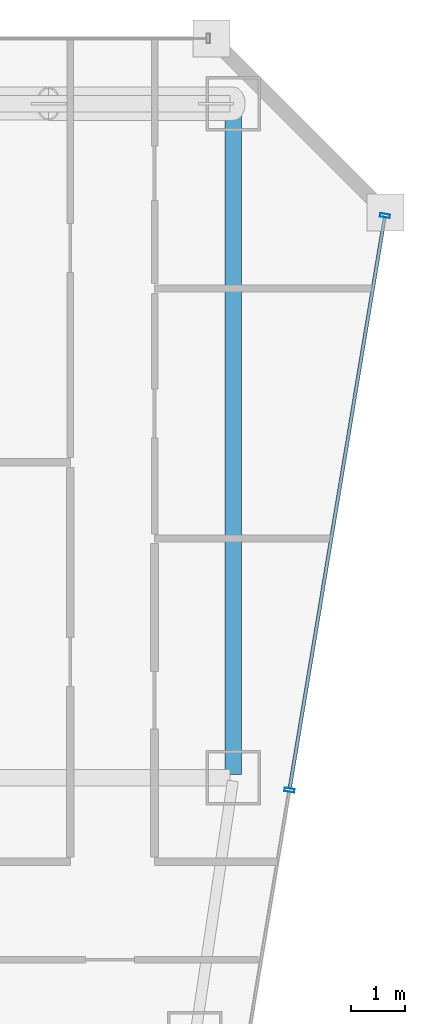
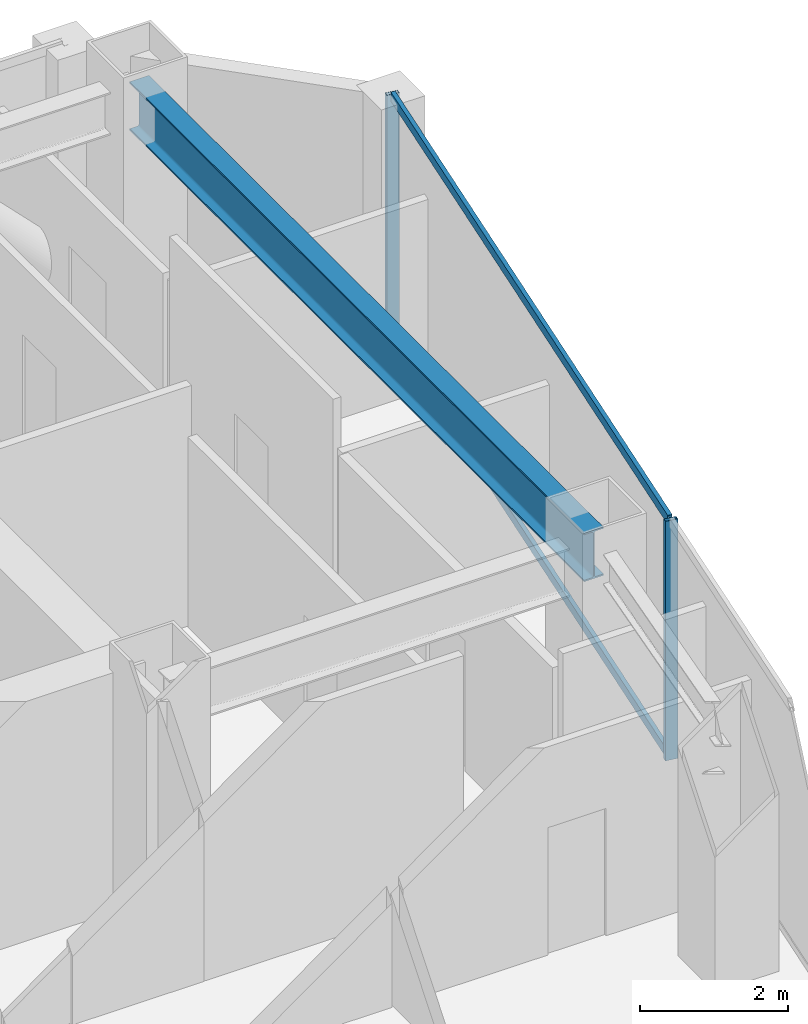
# One storey, part 25 of 36: 4 members, 1 beam, 1 element without a shape of its own.
"""IFC4 building model written with IfcOpenShell, lengths in metres."""

import ifcopenshell
import ifcopenshell.guid

model = None  # the IFC model being written
_history = None  # IfcOwnerHistory: only IFC2X3 demands one
_inside = {}  # id of a spatial element -> (the spatial element, [elements in it])
_under = {}  # id of a project, library or spatial element -> (it, [spatial elements below it])
_declared = {}  # id of a project -> (the project, [libraries it declares])
_typed = {}  # id of a type object -> (the type object, [elements of that type])
_made_of = {}  # id of a material, layer set ... -> (it, [elements and type objects made of it])


def new_model(schema):
    """Start an empty IFC model of exactly this schema.

    Asked for "IFC4X3", IfcOpenShell would pick the latest addendum, in which some entities
    have other attributes; the version numbers below select the first issue.
    IFC2X3 requires an IfcOwnerHistory on every rooted entity: one is made here for all.
    """
    global model, _history
    if schema == "IFC4X3":
        model = ifcopenshell.file(schema_version=(4, 3, 0, 0))
    else:
        model = ifcopenshell.file(schema=schema)
    _inside.clear()
    _under.clear()
    _declared.clear()
    _typed.clear()
    _made_of.clear()
    _history = None
    if model.schema == "IFC2X3":
        org = make("IfcOrganization", Name="unknown")
        user = make(
            "IfcPersonAndOrganization",
            ThePerson=make("IfcPerson", FamilyName="unknown"),
            TheOrganization=org,
        )
        app = make(
            "IfcApplication",
            ApplicationDeveloper=org,
            Version="unknown",
            ApplicationFullName="unknown",
            ApplicationIdentifier="unknown",
        )
        _history = make(
            "IfcOwnerHistory",
            OwningUser=user,
            OwningApplication=app,
            ChangeAction="ADDED",
            CreationDate=0,
        )
    return model


def make(cls, **values):
    """One entity of the class cls with the attributes given. An attribute that is None is left unset."""
    return model.create_entity(
        cls, **{name: value for name, value in values.items() if value is not None}
    )


def rooted(cls, **values):
    """An entity with a GlobalId (a new one), such as an element, a storey or a relation."""
    return make(cls, GlobalId=ifcopenshell.guid.new(), OwnerHistory=_history, **values)


def si_unit(unit_type, name, prefix=None):
    """IfcSIUnit, for example si_unit("LENGTHUNIT", "METRE", prefix="MILLI")."""
    return make("IfcSIUnit", UnitType=unit_type, Prefix=prefix, Name=name)


def assignment(units):
    """IfcUnitAssignment: the units of a project."""
    return None if units is None else make("IfcUnitAssignment", Units=units)


def point(xyz):
    """IfcCartesianPoint."""
    return None if xyz is None else make("IfcCartesianPoint", Coordinates=xyz)


def direction(xyz):
    """IfcDirection."""
    return None if xyz is None else make("IfcDirection", DirectionRatios=xyz)


def frame(location, z_axis=None, x_axis=None):
    """IfcAxis2Placement3D, a coordinate frame: its origin and axes. An axis left out is left unset."""
    return make(
        "IfcAxis2Placement3D",
        Location=point(location),
        Axis=direction(z_axis),
        RefDirection=direction(x_axis),
    )


def frame_2d(location, x_axis=None):
    """IfcAxis2Placement2D, a coordinate frame in the plane: its origin and x axis."""
    return make(
        "IfcAxis2Placement2D", Location=point(location), RefDirection=direction(x_axis)
    )


def origin():
    """The frame at (0, 0, 0) with its axes left unset."""
    return frame((0.0, 0.0, 0.0))


def origin_2d():
    """The frame at (0, 0) in the plane with its x axis left unset."""
    return frame_2d((0.0, 0.0))


def place(relative_to, where):
    """IfcLocalPlacement: puts the frame where relative to a parent placement (None: the world)."""
    return make(
        "IfcLocalPlacement", PlacementRelTo=relative_to, RelativePlacement=where
    )


def context(
    kind, dimensions, precision=None, world=None, true_north=None, identifier=None
):
    """IfcGeometricRepresentationContext, for example the 3D "Model" context."""
    return make(
        "IfcGeometricRepresentationContext",
        ContextIdentifier=identifier,
        ContextType=kind,
        CoordinateSpaceDimension=dimensions,
        Precision=precision,
        WorldCoordinateSystem=world,
        TrueNorth=true_north,
    )


def subcontext(parent, identifier, kind, view, scale=None):
    """IfcGeometricRepresentationSubContext, for example "Body" below "Model"."""
    return make(
        "IfcGeometricRepresentationSubContext",
        ContextIdentifier=identifier,
        ContextType=kind,
        ParentContext=parent,
        TargetScale=scale,
        TargetView=view,
    )


def project(units=None, contexts=None):
    """IfcProject with its units and contexts."""
    return rooted(
        "IfcProject",
        Name="project",
        RepresentationContexts=contexts,
        UnitsInContext=assignment(units),
    )


def spatial(cls, under=None, at=None, **own):
    """A site, building, storey or space (cls), placed at a placement, below another one or the project."""
    s = rooted(cls, ObjectPlacement=at, **own)
    if under is not None:
        _under.setdefault(under.id(), (under, []))[1].append(s)
    return s


def profile(cls, at=None, kind="AREA", **sizes):
    """A parametric profile (cls). Its sizes go by their IFC names, for example OverallWidth=200.0."""
    return make(cls, ProfileType=kind, Position=at, **sizes)


def hollow_rectangle(**sizes):
    """IfcRectangleHollowProfileDef."""
    return profile("IfcRectangleHollowProfileDef", **sizes)


def i_section(**sizes):
    """IfcIShapeProfileDef."""
    return profile("IfcIShapeProfileDef", **sizes)


def extrude(swept, where, along, depth):
    """IfcExtrudedAreaSolid: the profile swept, set in the frame where, extruded along a direction by depth."""
    return make(
        "IfcExtrudedAreaSolid",
        SweptArea=swept,
        Position=where,
        ExtrudedDirection=direction(along),
        Depth=depth,
    )


def shape(context_of_items, identifier, shape_type, items):
    """IfcShapeRepresentation: the items that make up one representation, for example the "Body"."""
    return make(
        "IfcShapeRepresentation",
        ContextOfItems=context_of_items,
        RepresentationIdentifier=identifier,
        RepresentationType=shape_type,
        Items=items,
    )


def material(Name=None, Category=None):
    """IfcMaterial."""
    return make("IfcMaterial", Name=Name, Category=Category)


def material_profile(
    of_material, cross_section, Name=None, Category=None, Priority=None
):
    """IfcMaterialProfile: a cross section and its material."""
    return make(
        "IfcMaterialProfile",
        Name=Name,
        Material=of_material,
        Profile=cross_section,
        Priority=Priority,
        Category=Category,
    )


def profile_set(profiles, Name=None, composite=None):
    """IfcMaterialProfileSet."""
    return make(
        "IfcMaterialProfileSet",
        Name=Name,
        MaterialProfiles=profiles,
        CompositeProfile=composite,
    )


def made_of(thing, what):
    """Note that an element or type object is made of a material, layer set ...; save() writes the relation."""
    if what is not None:
        _made_of.setdefault(what.id(), (what, []))[1].append(thing)
    return thing


def type_object(cls, material=None, **own):
    """A type object (cls), such as IfcWallType, which elements share."""
    return made_of(rooted(cls, **own), material)


def element(
    cls,
    number,
    at=None,
    inside=None,
    cuts=None,
    type_object=None,
    material=None,
    context=None,
    identifier="Body",
    shape_type=None,
    held_by="IfcProductDefinitionShape",
    body=None,
    shapes=None,
    **own,
):
    """One element of the class cls, such as IfcWall. Its Tag is "e" and its number.

    at: its placement. inside: the storey or other place that contains it. cuts: it is an
    opening in that element (IfcRelVoidsElement). A single representation is given by context,
    identifier, shape_type and body (its items); several are given by shapes. held_by: the class
    of the entity that holds the representations. save() writes the other relations.
    """
    e = rooted(cls, Tag="e%d" % number, ObjectPlacement=at, **own)
    if body is not None:
        shapes = [shape(context, identifier, shape_type, body)]
    if shapes is not None:
        e.Representation = make(held_by, Representations=shapes)
    if inside is not None:
        _inside.setdefault(inside.id(), (inside, []))[1].append(e)
    if cuts is not None:
        rooted(
            "IfcRelVoidsElement", RelatingBuildingElement=cuts, RelatedOpeningElement=e
        )
    if type_object is not None:
        _typed.setdefault(type_object.id(), (type_object, []))[1].append(e)
    return made_of(e, material)


def aggregate(whole, parts):
    """IfcRelAggregates: a whole, such as a stair, and the parts it consists of."""
    return rooted("IfcRelAggregates", RelatingObject=whole, RelatedObjects=parts)


def save(model, path):
    """Write the relations noted so far, then the file.

    IfcRelAggregates (storeys below a building ...), IfcRelContainedInSpatialStructure (elements
    in a storey), IfcRelDefinesByType, IfcRelAssociatesMaterial and IfcRelDeclares: one each for
    every whole, place, type object, material and project.
    """
    for whole, parts in _under.values():
        aggregate(whole, parts)
    for where, things in _inside.values():
        rooted(
            "IfcRelContainedInSpatialStructure",
            RelatedElements=things,
            RelatingStructure=where,
        )
    for kind, things in _typed.values():
        rooted("IfcRelDefinesByType", RelatedObjects=things, RelatingType=kind)
    for what, things in _made_of.values():
        rooted("IfcRelAssociatesMaterial", RelatedObjects=things, RelatingMaterial=what)
    for by, libraries in _declared.values():
        rooted("IfcRelDeclares", RelatingContext=by, RelatedDefinitions=libraries)
    model.write(path)


model = new_model("IFC4")

# Units and contexts
model_context = context("Model", 3, precision=1e-05, world=origin(), true_north=direction((0.0, 1.0)))
body_context = subcontext(model_context, "Body", "Model", "MODEL_VIEW")
ifc_project = project(units=[si_unit("LENGTHUNIT", "METRE"), si_unit("AREAUNIT", "SQUARE_METRE"), si_unit("VOLUMEUNIT", "CUBIC_METRE"), si_unit("PLANEANGLEUNIT", "RADIAN"), si_unit("MASSUNIT", "GRAM", prefix="KILO")], contexts=[model_context])

# Site, building, storey
site_placement = place(None, origin())
site = spatial("IfcSite", under=ifc_project, at=site_placement, CompositionType="ELEMENT")
building_placement = place(site_placement, origin())
building = spatial("IfcBuilding", under=site, at=building_placement, Name="Saevonmaru Cultural Tower", CompositionType="ELEMENT")
storey_placement = place(building_placement, frame((0.0, 0.0, 119.199951171875)))
storey = spatial("IfcBuildingStorey", under=building, at=storey_placement, Name="L25", CompositionType="ELEMENT", Elevation=119.199951171875)

# Beam
ifc_material_1 = material(Name="Steel SM420", Category="steel")
ifc_material_profile_1 = material_profile(ifc_material_1, i_section(OverallWidth=0.300048828125, OverallDepth=0.800048828125, WebThickness=0.013916015625, FlangeThickness=0.02587890625, FilletRadius=0.028076171875, at=origin_2d()), Name="H-800x300x14x26")
ifc_profile_set_1 = profile_set([ifc_material_profile_1], Name="Steel SM420")
beam_type = type_object("IfcBeamType", Name="BM-G-H800", PredefinedType="BEAM", material=ifc_profile_set_1)
beam_placement = place(storey_placement, frame((53.199951171875, 54.739990234375, 3.550048828125), z_axis=(0.0, -1.0, 0.0), x_axis=(1.0, 0.0, 0.0)))
element("IfcBeam", 1, at=beam_placement, inside=storey, type_object=beam_type, Name="L25 Spine Transverse Girder E", PredefinedType="BEAM", context=body_context, shape_type="SweptSolid", body=[
    extrude(i_section(OverallWidth=0.300048828125, OverallDepth=0.800048828125, WebThickness=0.013916015625, FlangeThickness=0.02587890625, FilletRadius=0.028076171875, at=origin_2d()), origin(), (0.0, 0.0, 1.0), 12.280029296875),
])

# Curtain wall, members
ifc_material_2 = material(Name="Satin Bronze Anodised Aluminium", Category="aluminium")
curtain_wall_type = type_object("IfcCurtainWallType", Name="CW-TYP-A", PredefinedType="NOTDEFINED", material=ifc_material_2)
curtain_wall_placement = place(storey_placement, origin())
curtain_wall = element("IfcCurtainWall", 2, at=curtain_wall_placement, inside=storey, type_object=curtain_wall_type, Name="L25 Unitised Curtain Wall E8", PredefinedType="NOTDEFINED")
ifc_material_profile_2 = material_profile(ifc_material_2, hollow_rectangle(XDim=0.06494140625, YDim=0.179931640625, WallThickness=0.00390625, at=origin_2d()), Name="ALU-MULL-180x65x4")
ifc_profile_set_2 = profile_set([ifc_material_profile_2], Name="Satin Bronze Anodised Aluminium")
member_type_1 = type_object("IfcMemberType", Name="ML-CW-180x65", PredefinedType="MULLION", material=ifc_profile_set_2)
member_1_placement = place(storey_placement, frame((54.23291015625, 42.17041015625, 0.0), z_axis=(0.0, 0.0, 1.0), x_axis=(0.163998702345, 0.986460554523, 0.0)))
member_1 = element("IfcMember", 3, at=member_1_placement, type_object=member_type_1, Name="CW-TW-L25-E8 mullion 4", PredefinedType="MULLION", context=body_context, shape_type="SweptSolid", body=[
    extrude(hollow_rectangle(XDim=0.06494140625, YDim=0.179931640625, WallThickness=0.00390625, at=origin_2d()), origin(), (0.0, 0.0, 1.0), 3.949951171875),
])
member_2_placement = place(storey_placement, frame((55.990234375, 52.74072265625, 0.0), z_axis=(0.0, 0.0, 1.0), x_axis=(0.163998702345, 0.986460554523, 0.0)))
member_2 = element("IfcMember", 4, at=member_2_placement, type_object=member_type_1, Name="CW-TW-L25-E8 mullion 5", PredefinedType="MULLION", context=body_context, shape_type="SweptSolid", body=[
    extrude(hollow_rectangle(XDim=0.06494140625, YDim=0.179931640625, WallThickness=0.00390625, at=origin_2d()), origin(), (0.0, 0.0, 1.0), 3.949951171875),
])
ifc_material_profile_3 = material_profile(ifc_material_2, hollow_rectangle(XDim=0.06494140625, YDim=0.14990234375, WallThickness=0.00390625, at=origin_2d()), Name="ALU-TRAN-150x65x4")
ifc_profile_set_3 = profile_set([ifc_material_profile_3], Name="Satin Bronze Anodised Aluminium")
member_type_2 = type_object("IfcMemberType", Name="TR-CW-150x65", PredefinedType="USERDEFINED", material=ifc_profile_set_3)
member_3_placement = place(storey_placement, frame((54.23828125, 42.202392578125, 0.032470703125), z_axis=(0.163990079074, 0.9864619881, 0.0), x_axis=(-0.9864619881, 0.163990079074, 0.0)))
member_3 = element("IfcMember", 5, at=member_3_placement, type_object=member_type_2, Name="CW-TW-L25-E8 transom 4.1", ObjectType="TRANSOM", PredefinedType="USERDEFINED", context=body_context, shape_type="SweptSolid", body=[
    extrude(hollow_rectangle(XDim=0.06494140625, YDim=0.14990234375, WallThickness=0.00390625, at=origin_2d()), origin(), (0.0, 0.0, 1.0), 10.650634765625),
])
member_4_placement = place(storey_placement, frame((54.23828125, 42.202392578125, 3.91748046875), z_axis=(0.163990079074, 0.9864619881, 0.0), x_axis=(-0.9864619881, 0.163990079074, 0.0)))
member_4 = element("IfcMember", 6, at=member_4_placement, type_object=member_type_2, Name="CW-TW-L25-E8 transom 4.2", ObjectType="TRANSOM", PredefinedType="USERDEFINED", context=body_context, shape_type="SweptSolid", body=[
    extrude(hollow_rectangle(XDim=0.06494140625, YDim=0.14990234375, WallThickness=0.00390625, at=origin_2d()), origin(), (0.0, 0.0, 1.0), 10.650634765625),
])
aggregate(curtain_wall, [member_1, member_2, member_3, member_4])

save(model, "model.ifc")
